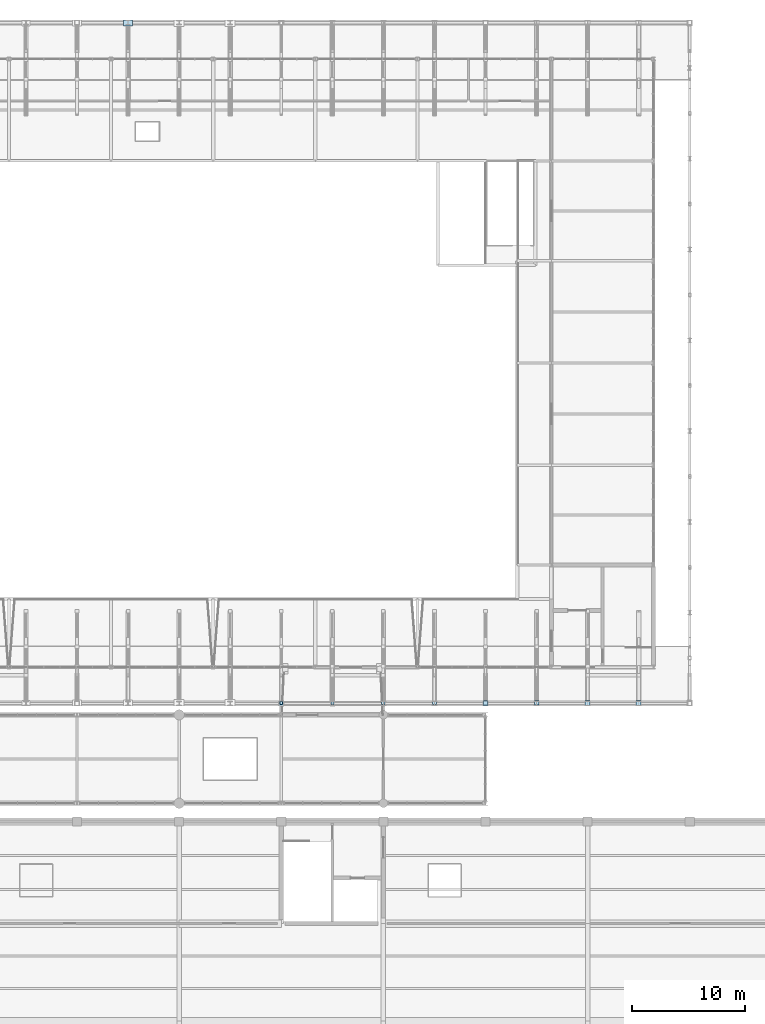
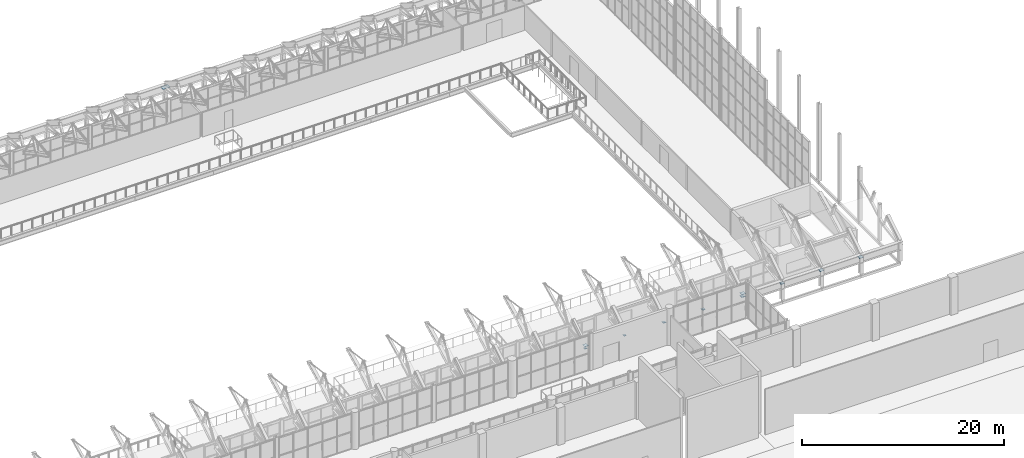
# One storey, part 109 of 134: 11 plates.
"""IFC4 building model written with IfcOpenShell, lengths in metres."""

import ifcopenshell
import ifcopenshell.guid

model = None  # the IFC model being written
_history = None  # IfcOwnerHistory: only IFC2X3 demands one
_inside = {}  # id of a spatial element -> (the spatial element, [elements in it])
_under = {}  # id of a project, library or spatial element -> (it, [spatial elements below it])
_declared = {}  # id of a project -> (the project, [libraries it declares])
_typed = {}  # id of a type object -> (the type object, [elements of that type])
_made_of = {}  # id of a material, layer set ... -> (it, [elements and type objects made of it])


def new_model(schema):
    """Start an empty IFC model of exactly this schema.

    Asked for "IFC4X3", IfcOpenShell would pick the latest addendum, in which some entities
    have other attributes; the version numbers below select the first issue.
    IFC2X3 requires an IfcOwnerHistory on every rooted entity: one is made here for all.
    """
    global model, _history
    if schema == "IFC4X3":
        model = ifcopenshell.file(schema_version=(4, 3, 0, 0))
    else:
        model = ifcopenshell.file(schema=schema)
    _inside.clear()
    _under.clear()
    _declared.clear()
    _typed.clear()
    _made_of.clear()
    _history = None
    if model.schema == "IFC2X3":
        org = make("IfcOrganization", Name="unknown")
        user = make(
            "IfcPersonAndOrganization",
            ThePerson=make("IfcPerson", FamilyName="unknown"),
            TheOrganization=org,
        )
        app = make(
            "IfcApplication",
            ApplicationDeveloper=org,
            Version="unknown",
            ApplicationFullName="unknown",
            ApplicationIdentifier="unknown",
        )
        _history = make(
            "IfcOwnerHistory",
            OwningUser=user,
            OwningApplication=app,
            ChangeAction="ADDED",
            CreationDate=0,
        )
    return model


def make(cls, **values):
    """One entity of the class cls with the attributes given. An attribute that is None is left unset."""
    return model.create_entity(
        cls, **{name: value for name, value in values.items() if value is not None}
    )


def rooted(cls, **values):
    """An entity with a GlobalId (a new one), such as an element, a storey or a relation."""
    return make(cls, GlobalId=ifcopenshell.guid.new(), OwnerHistory=_history, **values)


def si_unit(unit_type, name, prefix=None):
    """IfcSIUnit, for example si_unit("LENGTHUNIT", "METRE", prefix="MILLI")."""
    return make("IfcSIUnit", UnitType=unit_type, Prefix=prefix, Name=name)


def assignment(units):
    """IfcUnitAssignment: the units of a project."""
    return None if units is None else make("IfcUnitAssignment", Units=units)


def point(xyz):
    """IfcCartesianPoint."""
    return None if xyz is None else make("IfcCartesianPoint", Coordinates=xyz)


def direction(xyz):
    """IfcDirection."""
    return None if xyz is None else make("IfcDirection", DirectionRatios=xyz)


def frame(location, z_axis=None, x_axis=None):
    """IfcAxis2Placement3D, a coordinate frame: its origin and axes. An axis left out is left unset."""
    return make(
        "IfcAxis2Placement3D",
        Location=point(location),
        Axis=direction(z_axis),
        RefDirection=direction(x_axis),
    )


def frame_2d(location, x_axis=None):
    """IfcAxis2Placement2D, a coordinate frame in the plane: its origin and x axis."""
    return make(
        "IfcAxis2Placement2D", Location=point(location), RefDirection=direction(x_axis)
    )


def origin():
    """The frame at (0, 0, 0) with its axes left unset."""
    return frame((0.0, 0.0, 0.0))


def origin_2d():
    """The frame at (0, 0) in the plane with its x axis left unset."""
    return frame_2d((0.0, 0.0))


def place(relative_to, where):
    """IfcLocalPlacement: puts the frame where relative to a parent placement (None: the world)."""
    return make(
        "IfcLocalPlacement", PlacementRelTo=relative_to, RelativePlacement=where
    )


def context(
    kind, dimensions, precision=None, world=None, true_north=None, identifier=None
):
    """IfcGeometricRepresentationContext, for example the 3D "Model" context."""
    return make(
        "IfcGeometricRepresentationContext",
        ContextIdentifier=identifier,
        ContextType=kind,
        CoordinateSpaceDimension=dimensions,
        Precision=precision,
        WorldCoordinateSystem=world,
        TrueNorth=true_north,
    )


def subcontext(parent, identifier, kind, view, scale=None):
    """IfcGeometricRepresentationSubContext, for example "Body" below "Model"."""
    return make(
        "IfcGeometricRepresentationSubContext",
        ContextIdentifier=identifier,
        ContextType=kind,
        ParentContext=parent,
        TargetScale=scale,
        TargetView=view,
    )


def project(units=None, contexts=None):
    """IfcProject with its units and contexts."""
    return rooted(
        "IfcProject",
        Name="project",
        RepresentationContexts=contexts,
        UnitsInContext=assignment(units),
    )


def spatial(cls, under=None, at=None, **own):
    """A site, building, storey or space (cls), placed at a placement, below another one or the project."""
    s = rooted(cls, ObjectPlacement=at, **own)
    if under is not None:
        _under.setdefault(under.id(), (under, []))[1].append(s)
    return s


def profile(cls, at=None, kind="AREA", **sizes):
    """A parametric profile (cls). Its sizes go by their IFC names, for example OverallWidth=200.0."""
    return make(cls, ProfileType=kind, Position=at, **sizes)


def rectangle(**sizes):
    """IfcRectangleProfileDef."""
    return profile("IfcRectangleProfileDef", **sizes)


def extrude(swept, where, along, depth):
    """IfcExtrudedAreaSolid: the profile swept, set in the frame where, extruded along a direction by depth."""
    return make(
        "IfcExtrudedAreaSolid",
        SweptArea=swept,
        Position=where,
        ExtrudedDirection=direction(along),
        Depth=depth,
    )


def shape(context_of_items, identifier, shape_type, items):
    """IfcShapeRepresentation: the items that make up one representation, for example the "Body"."""
    return make(
        "IfcShapeRepresentation",
        ContextOfItems=context_of_items,
        RepresentationIdentifier=identifier,
        RepresentationType=shape_type,
        Items=items,
    )


def material(Name=None, Category=None):
    """IfcMaterial."""
    return make("IfcMaterial", Name=Name, Category=Category)


def layer(
    of_material, thickness, ventilated=None, Name=None, Category=None, Priority=None
):
    """IfcMaterialLayer: one layer of a wall or slab, of a material (None: an air gap)."""
    return make(
        "IfcMaterialLayer",
        Material=of_material,
        LayerThickness=thickness,
        IsVentilated=ventilated,
        Name=Name,
        Category=Category,
        Priority=Priority,
    )


def layer_set(layers, Name=None):
    """IfcMaterialLayerSet."""
    return make("IfcMaterialLayerSet", MaterialLayers=layers, LayerSetName=Name)


def made_of(thing, what):
    """Note that an element or type object is made of a material, layer set ...; save() writes the relation."""
    if what is not None:
        _made_of.setdefault(what.id(), (what, []))[1].append(thing)
    return thing


def type_object(cls, material=None, **own):
    """A type object (cls), such as IfcWallType, which elements share."""
    return made_of(rooted(cls, **own), material)


def element(
    cls,
    number,
    at=None,
    inside=None,
    cuts=None,
    type_object=None,
    material=None,
    context=None,
    identifier="Body",
    shape_type=None,
    held_by="IfcProductDefinitionShape",
    body=None,
    shapes=None,
    **own,
):
    """One element of the class cls, such as IfcWall. Its Tag is "e" and its number.

    at: its placement. inside: the storey or other place that contains it. cuts: it is an
    opening in that element (IfcRelVoidsElement). A single representation is given by context,
    identifier, shape_type and body (its items); several are given by shapes. held_by: the class
    of the entity that holds the representations. save() writes the other relations.
    """
    e = rooted(cls, Tag="e%d" % number, ObjectPlacement=at, **own)
    if body is not None:
        shapes = [shape(context, identifier, shape_type, body)]
    if shapes is not None:
        e.Representation = make(held_by, Representations=shapes)
    if inside is not None:
        _inside.setdefault(inside.id(), (inside, []))[1].append(e)
    if cuts is not None:
        rooted(
            "IfcRelVoidsElement", RelatingBuildingElement=cuts, RelatedOpeningElement=e
        )
    if type_object is not None:
        _typed.setdefault(type_object.id(), (type_object, []))[1].append(e)
    return made_of(e, material)


def aggregate(whole, parts):
    """IfcRelAggregates: a whole, such as a stair, and the parts it consists of."""
    return rooted("IfcRelAggregates", RelatingObject=whole, RelatedObjects=parts)


def save(model, path):
    """Write the relations noted so far, then the file.

    IfcRelAggregates (storeys below a building ...), IfcRelContainedInSpatialStructure (elements
    in a storey), IfcRelDefinesByType, IfcRelAssociatesMaterial and IfcRelDeclares: one each for
    every whole, place, type object, material and project.
    """
    for whole, parts in _under.values():
        aggregate(whole, parts)
    for where, things in _inside.values():
        rooted(
            "IfcRelContainedInSpatialStructure",
            RelatedElements=things,
            RelatingStructure=where,
        )
    for kind, things in _typed.values():
        rooted("IfcRelDefinesByType", RelatedObjects=things, RelatingType=kind)
    for what, things in _made_of.values():
        rooted("IfcRelAssociatesMaterial", RelatedObjects=things, RelatingMaterial=what)
    for by, libraries in _declared.values():
        rooted("IfcRelDeclares", RelatingContext=by, RelatedDefinitions=libraries)
    model.write(path)


model = new_model("IFC4")

# Units and contexts
model_context = context("Model", 3, precision=1e-05, world=origin(), true_north=direction((0.0, 1.0)))
body_context = subcontext(model_context, "Body", "Model", "MODEL_VIEW")
ifc_project = project(units=[si_unit("LENGTHUNIT", "METRE"), si_unit("AREAUNIT", "SQUARE_METRE"), si_unit("VOLUMEUNIT", "CUBIC_METRE"), si_unit("PLANEANGLEUNIT", "RADIAN"), si_unit("MASSUNIT", "GRAM", prefix="KILO")], contexts=[model_context])

# Site, building, storey
site_placement = place(None, origin())
site = spatial("IfcSite", under=ifc_project, at=site_placement, CompositionType="ELEMENT")
building_placement = place(site_placement, origin())
building = spatial("IfcBuilding", under=site, at=building_placement, Name="Cazmaro Siding Exhibition Halls", CompositionType="ELEMENT")
storey_placement = place(building_placement, frame((0.0, 0.0, 12.0)))
storey = spatial("IfcBuildingStorey", under=building, at=storey_placement, Name="L02", CompositionType="ELEMENT", Elevation=12.0)

# Plates
ifc_material_1 = material(Name="Steel ASTM A572 Grade 50", Category="steel")
ifc_layer_1 = layer(ifc_material_1, 0.013916015625)
ifc_layer_set_1 = layer_set([ifc_layer_1], Name="Steel ASTM A572 Grade 50")
plate_type_1 = type_object("IfcPlateType", Name="CP-01", PredefinedType="SHEET", material=ifc_layer_set_1)
for number, where, z_axis, x_axis, name in (
    (1, (135.0, 64.050048828125, 1.94287109375), (0.0, 0.0, 1.0), (1.0, 0.0, 0.0), "Space frame vault springing end-cap plate CP-01 node TN-01"),
    (2, (139.5, 64.050048828125, 1.94287109375), (0.0, 0.0, 1.0), (1.0, 0.0, 0.0), "Space frame vault springing end-cap plate CP-01 node TN-01"),
):
    element("IfcPlate", number, at=place(storey_placement, frame(where, z_axis=z_axis, x_axis=x_axis)), inside=storey, type_object=plate_type_1, Name=name, PredefinedType="SHEET", context=body_context, shape_type="SweptSolid", body=[
        extrude(rectangle(XDim=0.260009765625, YDim=0.260009765625, at=origin_2d()), origin(), (0.0, 0.0, 1.0), 0.013916015625),
    ])
ifc_material_2 = material(Name="Steel ASTM A572 Grade 50", Category="steel")
ifc_layer_2 = layer(ifc_material_2, 0.02001953125)
ifc_layer_set_2 = layer_set([ifc_layer_2], Name="Steel ASTM A572 Grade 50")
plate_type_2 = type_object("IfcPlateType", Name="CP-02", PredefinedType="SHEET", material=ifc_layer_set_2)
for number, where, z_axis, x_axis, name in (
    (3, (144.0, 64.050048828125, 1.93994140625), (0.0, 0.0, 1.0), (1.0, 0.0, 0.0), "Space frame vault springing end-cap plate CP-02 node TN-01"),
    (4, (148.5, 64.050048828125, 1.93994140625), (0.0, 0.0, 1.0), (1.0, 0.0, 0.0), "Space frame vault springing end-cap plate CP-02 node TN-01"),
):
    element("IfcPlate", number, at=place(storey_placement, frame(where, z_axis=z_axis, x_axis=x_axis)), inside=storey, type_object=plate_type_2, Name=name, PredefinedType="SHEET", context=body_context, shape_type="SweptSolid", body=[
        extrude(rectangle(XDim=0.320068359375, YDim=0.320068359375, at=origin_2d()), origin(), (0.0, 0.0, 1.0), 0.02001953125),
    ])
ifc_material_3 = material(Name="Steel ASTM A572 Grade 50", Category="steel")
ifc_layer_3 = layer(ifc_material_3, 0.02001953125)
ifc_layer_set_3 = layer_set([ifc_layer_3], Name="Steel ASTM A572 Grade 50")
plate_type_3 = type_object("IfcPlateType", Name="CP-03", PredefinedType="SHEET", material=ifc_layer_set_3)
for number, where, z_axis, x_axis, name in (
    (5, (153.0, 64.050048828125, 1.93994140625), (0.0, 0.0, 1.0), (1.0, 0.0, 0.0), "Space frame vault springing end-cap plate CP-03 node TN-01"),
    (6, (157.5, 64.050048828125, 1.93994140625), (0.0, 0.0, 1.0), (1.0, 0.0, 0.0), "Space frame vault springing end-cap plate CP-03 node TN-01"),
):
    element("IfcPlate", number, at=place(storey_placement, frame(where, z_axis=z_axis, x_axis=x_axis)), inside=storey, type_object=plate_type_3, Name=name, PredefinedType="SHEET", context=body_context, shape_type="SweptSolid", body=[
        extrude(rectangle(XDim=0.389892578125, YDim=0.389892578125, at=origin_2d()), origin(), (0.0, 0.0, 1.0), 0.02001953125),
    ])
ifc_material_4 = material(Name="Steel ASTM A572 Grade 50", Category="steel")
ifc_layer_4 = layer(ifc_material_4, 0.0390625)
ifc_layer_set_4 = layer_set([ifc_layer_4], Name="Steel ASTM A572 Grade 50")
plate_type_4 = type_object("IfcPlateType", Name="CP-04", PredefinedType="SHEET", material=ifc_layer_set_4)
for number, where, z_axis, x_axis, name in (
    (7, (135.0, 64.0, 2.300537109375), (0.0, 0.0, 1.0), (1.0, 0.0, 0.0), "HSS column top end-cap plate CP-04"),
    (8, (153.0, 64.0, 2.300537109375), (0.0, 0.0, 1.0), (1.0, 0.0, 0.0), "HSS column top end-cap plate CP-04"),
    (9, (162.0, 64.050048828125, 1.930419921875), (0.0, 0.0, 1.0), (1.0, 0.0, 0.0), "Space frame vault springing end-cap plate CP-04 node TN-01"),
    (10, (166.5, 64.050048828125, 1.930419921875), (0.0, 0.0, 1.0), (1.0, 0.0, 0.0), "Space frame vault springing end-cap plate CP-04 node TN-01"),
):
    element("IfcPlate", number, at=place(storey_placement, frame(where, z_axis=z_axis, x_axis=x_axis)), inside=storey, type_object=plate_type_4, Name=name, PredefinedType="SHEET", context=body_context, shape_type="SweptSolid", body=[
        extrude(rectangle(XDim=0.43994140625, YDim=0.43994140625, at=origin_2d()), origin(), (0.0, 0.0, 1.0), 0.0390625),
    ])
ifc_material_5 = material(Name="Steel ASTM A572 Grade 50", Category="steel")
ifc_layer_5 = layer(ifc_material_5, 0.0439453125)
ifc_layer_set_5 = layer_set([ifc_layer_5], Name="Steel ASTM A572 Grade 50")
plate_type_5 = type_object("IfcPlateType", Name="CP-09", PredefinedType="SHEET", material=ifc_layer_set_5)
plate_placement = place(storey_placement, frame((121.5, 123.949951171875, 1.927978515625), z_axis=(0.0, 0.0, 1.0), x_axis=(1.0, 0.0, 0.0)))
element("IfcPlate", 11, at=plate_placement, inside=storey, type_object=plate_type_5, Name="Space frame vault springing end-cap plate CP-09 node TN-01", PredefinedType="SHEET", context=body_context, shape_type="SweptSolid", body=[
    extrude(rectangle(XDim=0.800048828125, YDim=0.52001953125, at=origin_2d()), origin(), (0.0, 0.0, 1.0), 0.0439453125),
])

save(model, "model.ifc")
